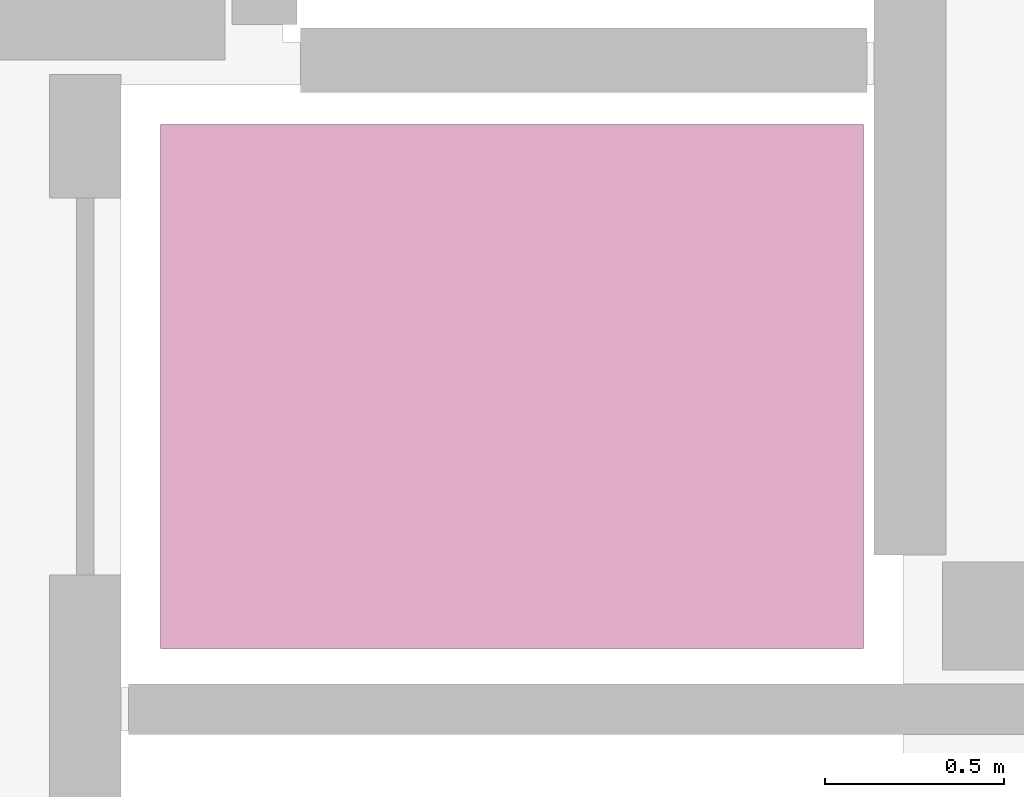
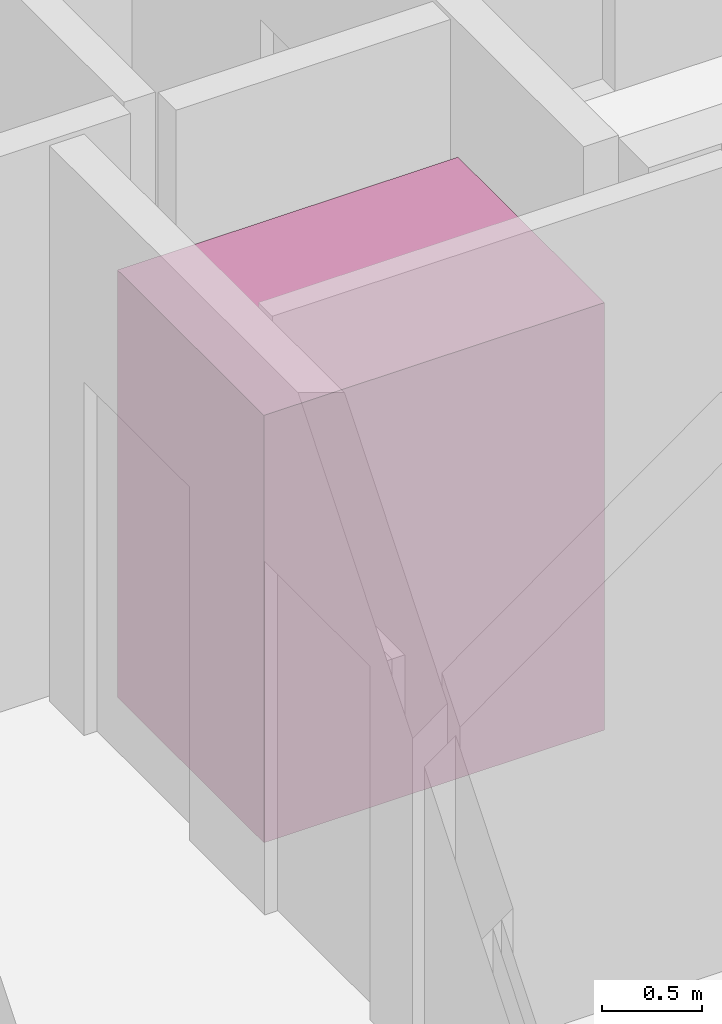
# One storey, part 11 of 11: 1 transport element.
"""IFC4 building model written with IfcOpenShell, lengths in metres."""

from ifc_helpers import new_model, si_unit, direction, frame, origin, origin_2d, place, context, subcontext, project, spatial, rectangle, extrude, material, type_object, element, save


model = new_model("IFC4")

# Units and contexts
model_context = context("Model", 3, precision=1e-05, world=origin(), true_north=direction((0.0, 1.0)))
body_context = subcontext(model_context, "Body", "Model", "MODEL_VIEW")
ifc_project = project(units=[si_unit("LENGTHUNIT", "METRE"), si_unit("AREAUNIT", "SQUARE_METRE"), si_unit("VOLUMEUNIT", "CUBIC_METRE"), si_unit("PLANEANGLEUNIT", "RADIAN"), si_unit("MASSUNIT", "GRAM", prefix="KILO")], contexts=[model_context])

# Site, building, storey
site_placement = place(None, origin())
site = spatial("IfcSite", under=ifc_project, at=site_placement, CompositionType="ELEMENT")
building_placement = place(site_placement, origin())
building = spatial("IfcBuilding", under=site, at=building_placement, Name="Oramaril Tower", CompositionType="ELEMENT")
storey_placement = place(building_placement, frame((0.0, 0.0, 212.699951171875)))
storey = spatial("IfcBuildingStorey", under=building, at=storey_placement, Name="L56", CompositionType="ELEMENT", Elevation=212.699951171875)

# Transport element
ifc_material = material(Name="Stainless Steel 316L", Category="steel")
transport_element_type = type_object("IfcTransportElementType", Name="LFT-PAX", PredefinedType="ELEVATOR", material=ifc_material)
transport_element_placement = place(storey_placement, frame((39.85009765625, 19.949951171875, 0.0), z_axis=(0.0, 0.0, 1.0), x_axis=(1.0, 0.0, 0.0)))
element("IfcTransportElement", 1, at=transport_element_placement, inside=storey, type_object=transport_element_type, Name="Elevator Car LP-H3", PredefinedType="ELEVATOR", context=body_context, shape_type="SweptSolid", body=[
    extrude(rectangle(XDim=1.9599609375, YDim=1.4599609375, at=origin_2d()), origin(), (0.0, 0.0, 1.0), 2.60009765625),
])

save(model, "model.ifc")
